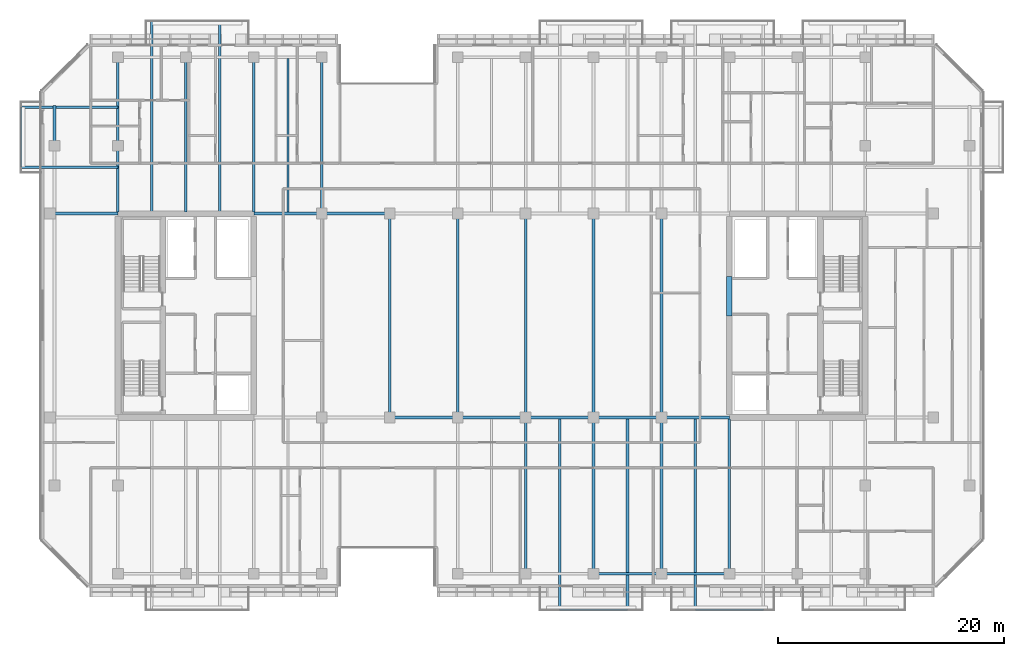
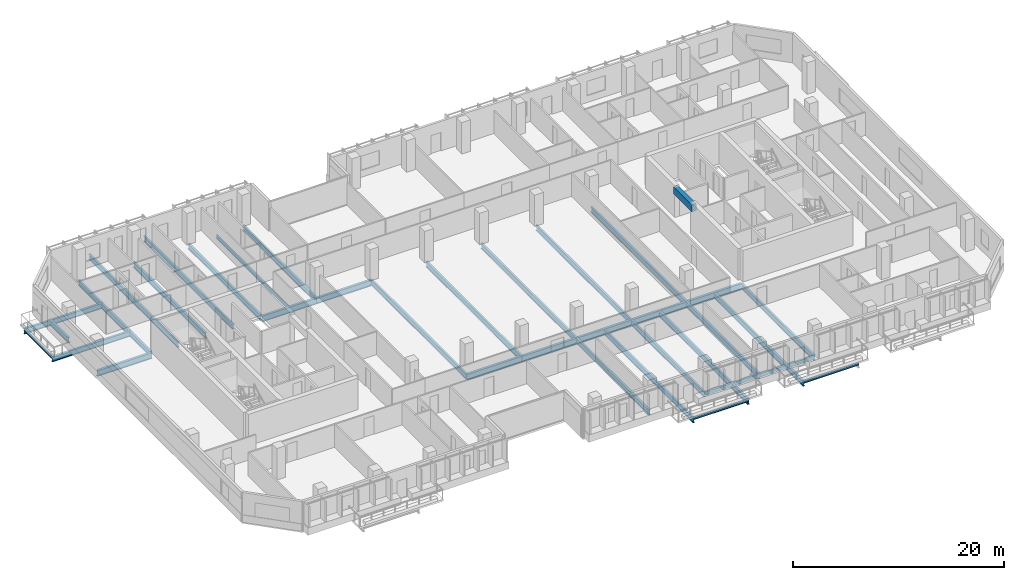
# One storey, part 5 of 22: 36 beams.
"""IFC4 building model written with IfcOpenShell, lengths in metres."""

from ifc_helpers import new_model, si_unit, direction, frame, origin, origin_2d, place, context, subcontext, project, spatial, rectangle, hollow_rectangle, i_section, extrude, material, material_profile, profile_set, type_object, element, save


model = new_model("IFC4")

# Units and contexts
model_context = context("Model", 3, precision=1e-05, world=origin(), true_north=direction((0.0, 1.0)))
body_context = subcontext(model_context, "Body", "Model", "MODEL_VIEW")
ifc_project = project(units=[si_unit("LENGTHUNIT", "METRE"), si_unit("AREAUNIT", "SQUARE_METRE"), si_unit("VOLUMEUNIT", "CUBIC_METRE"), si_unit("PLANEANGLEUNIT", "RADIAN"), si_unit("MASSUNIT", "GRAM", prefix="KILO")], contexts=[model_context])

# Site, building, storey
site_placement = place(None, origin())
site = spatial("IfcSite", under=ifc_project, at=site_placement, CompositionType="ELEMENT")
building_placement = place(site_placement, origin())
building = spatial("IfcBuilding", under=site, at=building_placement, Name="Tanjung Sevakor Pilgrim Tower", CompositionType="ELEMENT")
storey_placement = place(building_placement, frame((0.0, 0.0, 115.830078125)))
storey = spatial("IfcBuildingStorey", under=building, at=storey_placement, Name="L32", CompositionType="ELEMENT", Elevation=115.830078125)

# Beams
ifc_material_1 = material(Name="Steel S355J2", Category="steel")
ifc_material_profile_1 = material_profile(ifc_material_1, i_section(OverallWidth=0.25439453125, OverallDepth=0.6875, WebThickness=0.01318359375, FlangeThickness=0.02099609375, FilletRadius=0.01513671875, at=origin_2d()))
ifc_profile_set_1 = profile_set([ifc_material_profile_1], Name="Steel S355J2")
beam_type_1 = type_object("IfcBeamType", Name="BM-B-G2-UB_686x254x152", PredefinedType="BEAM", material=ifc_profile_set_1)
for number, where, z_axis, x_axis, name in (
    (1, (48.0, 24.60009765625, -0.56396484375), (1.0, 0.0, 0.0), (0.0, 1.0, 0.0), "L32 Primary Floor Girder MAIN Y246-04"),
    (2, (54.0, 24.60009765625, -0.56396484375), (1.0, 0.0, 0.0), (0.0, 1.0, 0.0), "L32 Primary Floor Girder MAIN Y246-05"),
    (3, (60.0, 24.60009765625, -0.56396484375), (1.0, 0.0, 0.0), (0.0, 1.0, 0.0), "L32 Primary Floor Girder MAIN Y246-06"),
    (4, (66.0, 24.60009765625, -0.56396484375), (1.0, 0.0, 0.0), (0.0, 1.0, 0.0), "L32 Primary Floor Girder MAIN Y246-07"),
    (5, (72.0, 24.60009765625, -0.56396484375), (1.0, 0.0, 0.0), (0.0, 1.0, 0.0), "L32 Primary Floor Girder MAIN Y246-08"),
    (6, (18.0, 42.60009765625, -0.56396484375), (1.0, 0.0, 0.0), (0.0, 1.0, 0.0), "L32 Primary Floor Girder MAIN Y426-01"),
    (7, (36.0, 42.60009765625, -0.56396484375), (1.0, 0.0, 0.0), (0.0, 1.0, 0.0), "L32 Primary Floor Girder MAIN Y426-02"),
    (8, (42.0, 42.60009765625, -0.56396484375), (1.0, 0.0, 0.0), (0.0, 1.0, 0.0), "L32 Primary Floor Girder MAIN Y426-03"),
):
    element("IfcBeam", number, at=place(storey_placement, frame(where, z_axis=z_axis, x_axis=x_axis)), inside=storey, type_object=beam_type_1, Name=name, PredefinedType="BEAM", context=body_context, shape_type="SweptSolid", body=[
        extrude(i_section(OverallWidth=0.25439453125, OverallDepth=0.6875, WebThickness=0.01318359375, FlangeThickness=0.02099609375, FilletRadius=0.01513671875, at=origin_2d()), origin(), (0.0, 0.0, 1.0), 6.0),
    ])
ifc_material_2 = material(Name="Steel S355J2", Category="steel")
ifc_material_profile_2 = material_profile(ifc_material_2, i_section(OverallWidth=0.230224609375, OverallDepth=0.6171875, WebThickness=0.01318359375, FlangeThickness=0.022216796875, FilletRadius=0.0126953125, at=origin_2d()))
ifc_profile_set_2 = profile_set([ifc_material_profile_2], Name="Steel S355J2")
beam_type_2 = type_object("IfcBeamType", Name="BM-B-G3-UB_610x229x140", PredefinedType="BEAM", material=ifc_profile_set_2)
for number, where, z_axis, x_axis, name in (
    (9, (24.0, 42.727294921875, -0.528564453125), (0.0, 1.0, 0.0), (-1.0, 0.0, 0.0), "L32 MAIN Girder 002"),
    (10, (30.0, 42.727294921875, -0.528564453125), (0.0, 1.0, 0.0), (-1.0, 0.0, 0.0), "L32 MAIN Girder 004"),
    (11, (36.0, 42.727294921875, -0.528564453125), (0.0, 1.0, 0.0), (-1.0, 0.0, 0.0), "L32 MAIN Girder 006"),
):
    element("IfcBeam", number, at=place(storey_placement, frame(where, z_axis=z_axis, x_axis=x_axis)), inside=storey, type_object=beam_type_2, Name=name, PredefinedType="BEAM", context=body_context, shape_type="SweptSolid", body=[
        extrude(i_section(OverallWidth=0.230224609375, OverallDepth=0.6171875, WebThickness=0.01318359375, FlangeThickness=0.022216796875, FilletRadius=0.0126953125, at=origin_2d()), origin(), (0.0, 0.0, 1.0), 13.672607421875),
    ])
beam_1_placement = place(storey_placement, frame((42.0, 42.60009765625, -0.528564453125), z_axis=(0.0, 1.0, 0.0), x_axis=(-1.0, 0.0, 0.0)))
element("IfcBeam", 12, at=beam_1_placement, inside=storey, type_object=beam_type_2, Name="L32 MAIN Girder 011", PredefinedType="BEAM", context=body_context, shape_type="SweptSolid", body=[
    extrude(i_section(OverallWidth=0.230224609375, OverallDepth=0.6171875, WebThickness=0.01318359375, FlangeThickness=0.022216796875, FilletRadius=0.0126953125, at=origin_2d()), origin(), (0.0, 0.0, 1.0), 13.7998046875),
])
for number, where, z_axis, x_axis, name in (
    (13, (48.0, 24.60009765625, -0.528564453125), (0.0, 1.0, 0.0), (-1.0, 0.0, 0.0), "L32 MAIN Girder 012"),
    (14, (54.0, 24.60009765625, -0.528564453125), (0.0, 1.0, 0.0), (-1.0, 0.0, 0.0), "L32 MAIN Girder 014"),
):
    element("IfcBeam", number, at=place(storey_placement, frame(where, z_axis=z_axis, x_axis=x_axis)), inside=storey, type_object=beam_type_2, Name=name, PredefinedType="BEAM", context=body_context, shape_type="SweptSolid", body=[
        extrude(i_section(OverallWidth=0.230224609375, OverallDepth=0.6171875, WebThickness=0.01318359375, FlangeThickness=0.022216796875, FilletRadius=0.0126953125, at=origin_2d()), origin(), (0.0, 0.0, 1.0), 18.0),
    ])
beam_2_placement = place(storey_placement, frame((60.0, 10.800048828125, -0.528564453125), z_axis=(0.0, 1.0, 0.0), x_axis=(-1.0, 0.0, 0.0)))
element("IfcBeam", 15, at=beam_2_placement, inside=storey, type_object=beam_type_2, Name="L32 MAIN Girder 018", PredefinedType="BEAM", context=body_context, shape_type="SweptSolid", body=[
    extrude(i_section(OverallWidth=0.230224609375, OverallDepth=0.6171875, WebThickness=0.01318359375, FlangeThickness=0.022216796875, FilletRadius=0.0126953125, at=origin_2d()), origin(), (0.0, 0.0, 1.0), 13.800048828125),
])
beam_3_placement = place(storey_placement, frame((60.0, 24.60009765625, -0.528564453125), z_axis=(0.0, 1.0, 0.0), x_axis=(-1.0, 0.0, 0.0)))
element("IfcBeam", 16, at=beam_3_placement, inside=storey, type_object=beam_type_2, Name="L32 MAIN Girder 019", PredefinedType="BEAM", context=body_context, shape_type="SweptSolid", body=[
    extrude(i_section(OverallWidth=0.230224609375, OverallDepth=0.6171875, WebThickness=0.01318359375, FlangeThickness=0.022216796875, FilletRadius=0.0126953125, at=origin_2d()), origin(), (0.0, 0.0, 1.0), 18.0),
])
beam_4_placement = place(storey_placement, frame((66.0, 10.800048828125, -0.528564453125), z_axis=(0.0, 1.0, 0.0), x_axis=(-1.0, 0.0, 0.0)))
element("IfcBeam", 17, at=beam_4_placement, inside=storey, type_object=beam_type_2, Name="L32 MAIN Girder 021", PredefinedType="BEAM", context=body_context, shape_type="SweptSolid", body=[
    extrude(i_section(OverallWidth=0.230224609375, OverallDepth=0.6171875, WebThickness=0.01318359375, FlangeThickness=0.022216796875, FilletRadius=0.0126953125, at=origin_2d()), origin(), (0.0, 0.0, 1.0), 13.800048828125),
])
beam_5_placement = place(storey_placement, frame((66.0, 24.60009765625, -0.528564453125), z_axis=(0.0, 1.0, 0.0), x_axis=(-1.0, 0.0, 0.0)))
element("IfcBeam", 18, at=beam_5_placement, inside=storey, type_object=beam_type_2, Name="L32 MAIN Girder 022", PredefinedType="BEAM", context=body_context, shape_type="SweptSolid", body=[
    extrude(i_section(OverallWidth=0.230224609375, OverallDepth=0.6171875, WebThickness=0.01318359375, FlangeThickness=0.022216796875, FilletRadius=0.0126953125, at=origin_2d()), origin(), (0.0, 0.0, 1.0), 18.0),
])
beam_6_placement = place(storey_placement, frame((72.0, 10.800048828125, -0.528564453125), z_axis=(0.0, 1.0, 0.0), x_axis=(-1.0, 0.0, 0.0)))
element("IfcBeam", 19, at=beam_6_placement, inside=storey, type_object=beam_type_2, Name="L32 MAIN Girder 024", PredefinedType="BEAM", context=body_context, shape_type="SweptSolid", body=[
    extrude(i_section(OverallWidth=0.230224609375, OverallDepth=0.6171875, WebThickness=0.01318359375, FlangeThickness=0.022216796875, FilletRadius=0.0126953125, at=origin_2d()), origin(), (0.0, 0.0, 1.0), 13.800048828125),
])
beam_7_placement = place(storey_placement, frame((72.0, 24.60009765625, -0.528564453125), z_axis=(0.0, 1.0, 0.0), x_axis=(-1.0, 0.0, 0.0)))
element("IfcBeam", 20, at=beam_7_placement, inside=storey, type_object=beam_type_2, Name="L32 MAIN Girder 025", PredefinedType="BEAM", context=body_context, shape_type="SweptSolid", body=[
    extrude(i_section(OverallWidth=0.230224609375, OverallDepth=0.6171875, WebThickness=0.01318359375, FlangeThickness=0.022216796875, FilletRadius=0.0126953125, at=origin_2d()), origin(), (0.0, 0.0, 1.0), 18.0),
])
beam_8_placement = place(storey_placement, frame((78.0, 10.800048828125, -0.528564453125), z_axis=(0.0, 1.0, 0.0), x_axis=(-1.0, 0.0, 0.0)))
element("IfcBeam", 21, at=beam_8_placement, inside=storey, type_object=beam_type_2, Name="L32 MAIN Girder 027", PredefinedType="BEAM", context=body_context, shape_type="SweptSolid", body=[
    extrude(i_section(OverallWidth=0.230224609375, OverallDepth=0.6171875, WebThickness=0.01318359375, FlangeThickness=0.022216796875, FilletRadius=0.0126953125, at=origin_2d()), origin(), (0.0, 0.0, 1.0), 13.672607421875),
])
ifc_material_3 = material(Name="Steel S355J2", Category="steel")
ifc_material_profile_3 = material_profile(ifc_material_3, i_section(OverallWidth=0.22900390625, OverallDepth=0.6123046875, WebThickness=0.011962890625, FlangeThickness=0.01953125, FilletRadius=0.0126953125, at=origin_2d()))
ifc_profile_set_3 = profile_set([ifc_material_profile_3], Name="Steel S355J2")
beam_type_3 = type_object("IfcBeamType", Name="BM-B-G4-UB_610x229x125", PredefinedType="BEAM", material=ifc_profile_set_3)
beam_9_placement = place(storey_placement, frame((18.39990234375, 48.60009765625, -0.526123046875), z_axis=(0.0, 1.0, 0.0), x_axis=(-1.0, 0.0, 0.0)))
element("IfcBeam", 22, at=beam_9_placement, inside=storey, type_object=beam_type_3, Name="L32 Short-End Edge Extension N-W", PredefinedType="BEAM", context=body_context, shape_type="SweptSolid", body=[
    extrude(i_section(OverallWidth=0.22900390625, OverallDepth=0.6123046875, WebThickness=0.011962890625, FlangeThickness=0.01953125, FilletRadius=0.0126953125, at=origin_2d()), origin(), (0.0, 0.0, 1.0), 3.5498046875),
])
for number, where, z_axis, x_axis, name in (
    (23, (24.0, 46.699951171875, -0.526123046875), (-1.0, 0.0, 0.0), (0.0, -1.0, 0.0), "L32 Balcony Overhanging Beam MAIN-W1-1"),
    (24, (24.0, 52.0, -0.526123046875), (-1.0, 0.0, 0.0), (0.0, -1.0, 0.0), "L32 Balcony Overhanging Beam MAIN-W1-2"),
):
    element("IfcBeam", number, at=place(storey_placement, frame(where, z_axis=z_axis, x_axis=x_axis)), inside=storey, type_object=beam_type_3, Name=name, PredefinedType="BEAM", context=body_context, shape_type="SweptSolid", body=[
        extrude(i_section(OverallWidth=0.22900390625, OverallDepth=0.6123046875, WebThickness=0.011962890625, FlangeThickness=0.01953125, FilletRadius=0.0126953125, at=origin_2d()), origin(), (0.0, 0.0, 1.0), 8.530029296875),
    ])
for number, where, z_axis, x_axis, name in (
    (25, (27.0, 42.727294921875, -0.526123046875), (0.0, 1.0, 0.0), (-1.0, 0.0, 0.0), "L32 Balcony Cantilever Beam MAIN-N1-1"),
    (26, (33.0, 42.727294921875, -0.526123046875), (0.0, 1.0, 0.0), (-1.0, 0.0, 0.0), "L32 Balcony Cantilever Beam MAIN-N1-2"),
):
    element("IfcBeam", number, at=place(storey_placement, frame(where, z_axis=z_axis, x_axis=x_axis)), inside=storey, type_object=beam_type_3, Name=name, PredefinedType="BEAM", context=body_context, shape_type="SweptSolid", body=[
        extrude(i_section(OverallWidth=0.22900390625, OverallDepth=0.6123046875, WebThickness=0.011962890625, FlangeThickness=0.01953125, FilletRadius=0.0126953125, at=origin_2d()), origin(), (0.0, 0.0, 1.0), 16.852783203125),
    ])
for number, where, z_axis, x_axis, name in (
    (27, (63.0, 24.47265625, -0.526123046875), (0.0, -1.0, 0.0), (1.0, 0.0, 0.0), "L32 Balcony Cantilever Beam MAIN-S2-1"),
    (28, (69.0, 24.47265625, -0.526123046875), (0.0, -1.0, 0.0), (1.0, 0.0, 0.0), "L32 Balcony Cantilever Beam MAIN-S2-2"),
    (29, (75.0, 24.47265625, -0.526123046875), (0.0, -1.0, 0.0), (1.0, 0.0, 0.0), "L32 Balcony Cantilever Beam MAIN-S3-1"),
):
    element("IfcBeam", number, at=place(storey_placement, frame(where, z_axis=z_axis, x_axis=x_axis)), inside=storey, type_object=beam_type_3, Name=name, PredefinedType="BEAM", context=body_context, shape_type="SweptSolid", body=[
        extrude(i_section(OverallWidth=0.22900390625, OverallDepth=0.6123046875, WebThickness=0.011962890625, FlangeThickness=0.01953125, FilletRadius=0.0126953125, at=origin_2d()), origin(), (0.0, 0.0, 1.0), 16.8525390625),
    ])
ifc_material_4 = material(Name="Steel S355J2", Category="steel")
ifc_material_profile_4 = material_profile(ifc_material_4, i_section(OverallWidth=0.1787109375, OverallDepth=0.409423828125, WebThickness=0.0087890625, FlangeThickness=0.014404296875, FilletRadius=0.01025390625, at=origin_2d()))
ifc_profile_set_4 = profile_set([ifc_material_profile_4], Name="Steel S355J2")
beam_type_4 = type_object("IfcBeamType", Name="BM-B-J3-UB_406x178x67", PredefinedType="JOIST", material=ifc_profile_set_4)
beam_10_placement = place(storey_placement, frame((39.0, 42.727294921875, -0.4248046875), z_axis=(0.0, 1.0, 0.0), x_axis=(-1.0, 0.0, 0.0)))
element("IfcBeam", 30, at=beam_10_placement, inside=storey, type_object=beam_type_4, Name="L32 MAIN Joist 008", PredefinedType="JOIST", context=body_context, shape_type="SweptSolid", body=[
    extrude(i_section(OverallWidth=0.1787109375, OverallDepth=0.409423828125, WebThickness=0.0087890625, FlangeThickness=0.014404296875, FilletRadius=0.01025390625, at=origin_2d()), origin(), (0.0, 0.0, 1.0), 13.57275390625),
])
ifc_material_5 = material(Name="Steel S355J2", Category="steel")
ifc_material_profile_5 = material_profile(ifc_material_5, i_section(OverallWidth=0.146484375, OverallDepth=0.256103515625, WebThickness=0.00634765625, FlangeThickness=0.010986328125, FilletRadius=0.007568359375, at=origin_2d()))
ifc_profile_set_5 = profile_set([ifc_material_profile_5], Name="Steel S355J2")
beam_type_5 = type_object("IfcBeamType", Name="BM-B-J6-UB_254x146x37", PredefinedType="JOIST", material=ifc_profile_set_5)
for number, where, z_axis, x_axis, name in (
    (31, (63.0, 7.6201171875, -0.328125), (1.0, 0.0, 0.0), (0.0, 1.0, 0.0), "L32 Balcony Rim Tie MAIN-S2"),
    (32, (75.0, 7.6201171875, -0.328125), (1.0, 0.0, 0.0), (0.0, 1.0, 0.0), "L32 Balcony Rim Tie MAIN-S3"),
):
    element("IfcBeam", number, at=place(storey_placement, frame(where, z_axis=z_axis, x_axis=x_axis)), inside=storey, type_object=beam_type_5, Name=name, PredefinedType="JOIST", context=body_context, shape_type="SweptSolid", body=[
        extrude(i_section(OverallWidth=0.146484375, OverallDepth=0.256103515625, WebThickness=0.00634765625, FlangeThickness=0.010986328125, FilletRadius=0.007568359375, at=origin_2d()), origin(), (0.0, 0.0, 1.0), 6.0),
    ])
beam_11_placement = place(storey_placement, frame((15.469970703125, 46.699951171875, -0.328125), z_axis=(0.0, 1.0, 0.0), x_axis=(-1.0, 0.0, 0.0)))
element("IfcBeam", 33, at=beam_11_placement, inside=storey, type_object=beam_type_5, Name="L32 Balcony Rim Tie MAIN-W1", PredefinedType="JOIST", context=body_context, shape_type="SweptSolid", body=[
    extrude(i_section(OverallWidth=0.146484375, OverallDepth=0.256103515625, WebThickness=0.00634765625, FlangeThickness=0.010986328125, FilletRadius=0.007568359375, at=origin_2d()), origin(), (0.0, 0.0, 1.0), 5.300048828125),
])
ifc_material_6 = material(Name="Concrete C60/75", Category="concrete")
ifc_material_profile_6 = material_profile(ifc_material_6, rectangle(XDim=0.5, YDim=0.800048828125, at=origin_2d()))
ifc_profile_set_6 = profile_set([ifc_material_profile_6], Name="Concrete C60/75")
beam_type_6 = type_object("IfcBeamType", Name="BM-B-LN2-RC-BM_500x800", PredefinedType="LINTEL", material=ifc_profile_set_6)
beam_12_placement = place(storey_placement, frame((78.0, 33.550048828125, 3.010009765625), z_axis=(0.0, 1.0, 0.0), x_axis=(-1.0, 0.0, 0.0)))
element("IfcBeam", 34, at=beam_12_placement, inside=storey, type_object=beam_type_6, Name="L32 E Core Coupling Lintel", PredefinedType="LINTEL", context=body_context, shape_type="SweptSolid", body=[
    extrude(rectangle(XDim=0.5, YDim=0.800048828125, at=origin_2d()), origin(), (0.0, 0.0, 1.0), 3.5),
])
ifc_material_7 = material(Name="Steel S355J2", Category="steel")
ifc_material_profile_7 = material_profile(ifc_material_7, hollow_rectangle(XDim=0.199951171875, YDim=0.39990234375, WallThickness=0.01611328125, at=origin_2d()))
ifc_profile_set_7 = profile_set([ifc_material_profile_7], Name="Steel S355J2")
beam_type_7 = type_object("IfcBeamType", Name="BM-B-SP2-RHS_400x200x16", PredefinedType="SPANDREL", material=ifc_profile_set_7)
for number, where, z_axis, x_axis, name in (
    (35, (66.0, 10.800048828125, -0.420166015625), (1.0, 0.0, 0.0), (0.0, 1.0, 0.0), "L32 Spandrel MAIN S-11"),
    (36, (72.0, 10.800048828125, -0.420166015625), (1.0, 0.0, 0.0), (0.0, 1.0, 0.0), "L32 Spandrel MAIN S-13"),
):
    element("IfcBeam", number, at=place(storey_placement, frame(where, z_axis=z_axis, x_axis=x_axis)), inside=storey, type_object=beam_type_7, Name=name, PredefinedType="SPANDREL", context=body_context, shape_type="SweptSolid", body=[
        extrude(hollow_rectangle(XDim=0.199951171875, YDim=0.39990234375, WallThickness=0.01611328125, at=origin_2d()), origin(), (0.0, 0.0, 1.0), 6.0),
    ])

save(model, "model.ifc")
